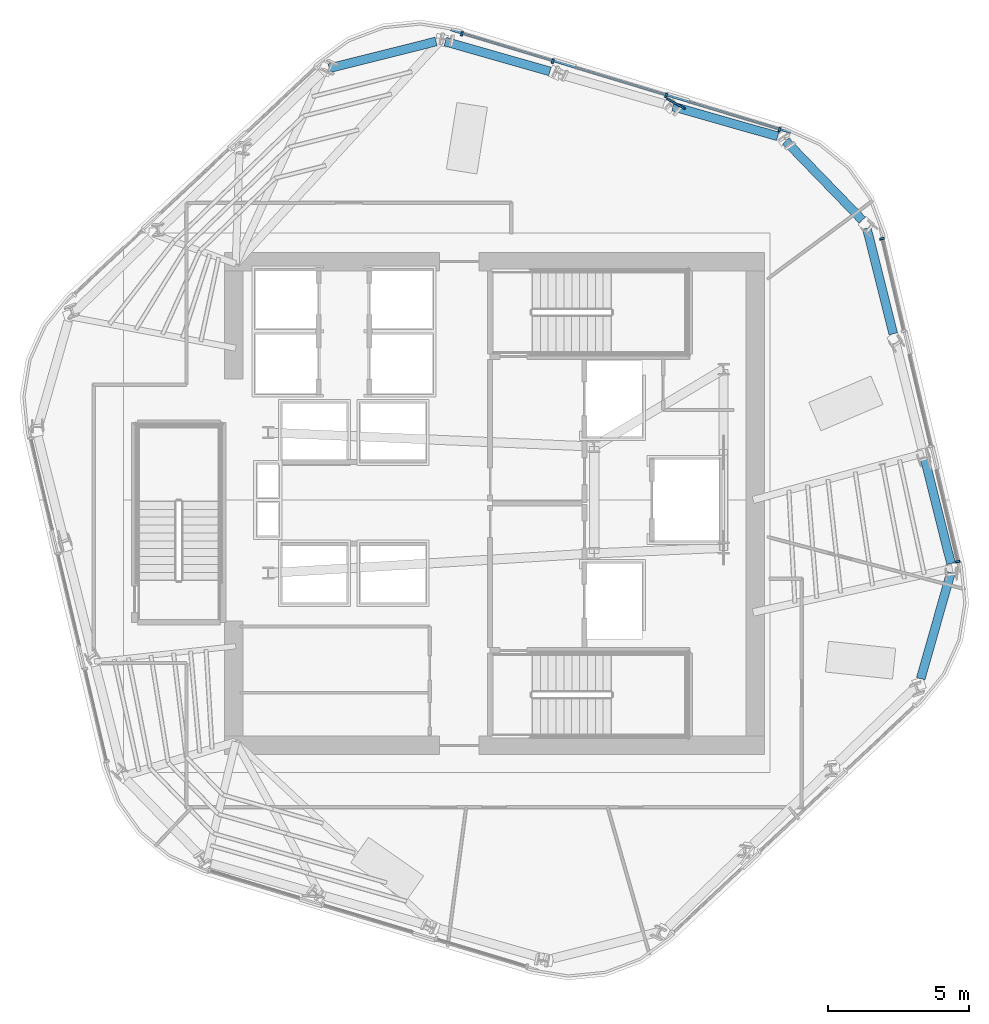
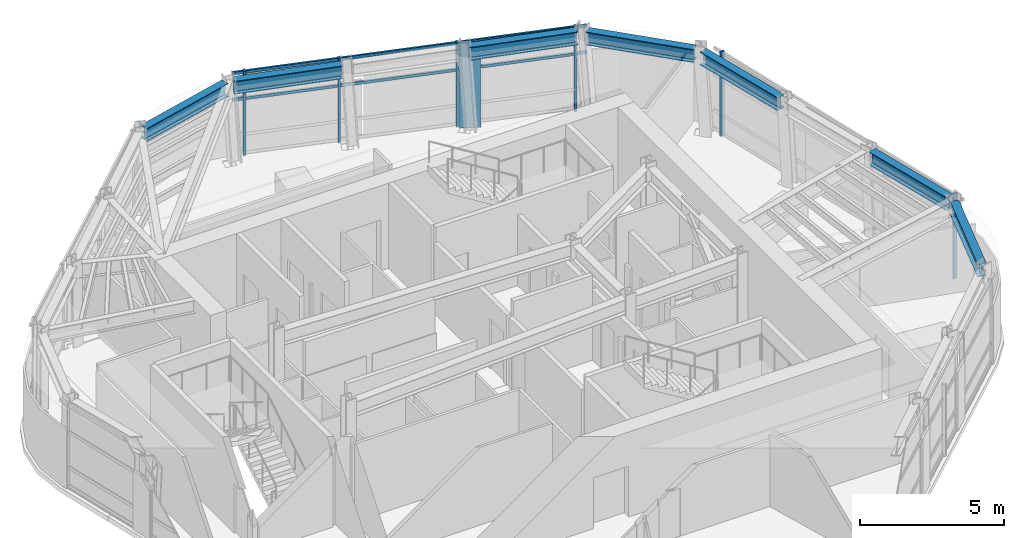
# One storey, part 5 of 14: 9 members, 7 beams, 2 elements without a shape of their own.
"""IFC4 building model written with IfcOpenShell, lengths in metres."""

from ifc_helpers import new_model, si_unit, direction, frame, origin, origin_2d, place, context, subcontext, project, spatial, rectangle, i_section, extrude, material, layer, layer_set, material_profile, profile_set, type_object, element, aggregate, save


model = new_model("IFC4")

# Units and contexts
model_context = context("Model", 3, precision=1e-05, world=origin(), true_north=direction((0.0, 1.0)))
body_context = subcontext(model_context, "Body", "Model", "MODEL_VIEW")
ifc_project = project(units=[si_unit("LENGTHUNIT", "METRE"), si_unit("AREAUNIT", "SQUARE_METRE"), si_unit("VOLUMEUNIT", "CUBIC_METRE"), si_unit("PLANEANGLEUNIT", "RADIAN"), si_unit("MASSUNIT", "GRAM", prefix="KILO")], contexts=[model_context])

# Site, building, storey
site_placement = place(None, origin())
site = spatial("IfcSite", under=ifc_project, at=site_placement, CompositionType="ELEMENT")
building_placement = place(site_placement, origin())
building = spatial("IfcBuilding", under=site, at=building_placement, Name="Valkerne Bourse Tower", CompositionType="ELEMENT")
storey_placement = place(building_placement, frame((0.0, 0.0, 209.39990234375)))
storey = spatial("IfcBuildingStorey", under=building, at=storey_placement, Name="L53", CompositionType="ELEMENT", Elevation=209.39990234375)

# Beams
ifc_material_1 = material(Name="Steel ASTM A992", Category="steel")
ifc_material_profile_1 = material_profile(ifc_material_1, i_section(OverallWidth=0.31494140625, OverallDepth=0.5537109375, WebThickness=0.0166015625, FlangeThickness=0.026123046875, FilletRadius=0.020263671875, at=origin_2d()), Name="W21X132")
ifc_profile_set_1 = profile_set([ifc_material_profile_1], Name="Steel ASTM A992")
beam_type = type_object("IfcBeamType", Name="BM-W21X132", PredefinedType="BEAM", material=ifc_profile_set_1)
for number, where, z_axis, x_axis, name in (
    (1, (56.876708984375, 39.93310546875, 3.3232421875), (-0.961756780686, 0.273904901023, 0.0), (-0.273904901023, -0.961756780686, 0.0), "L53 Hexagonal Spandrel Ring Beam 00"),
    (2, (48.77490234375, 42.24072265625, 3.3232421875), (-0.961740168998, 0.273963222598, 0.0), (-0.273963222598, -0.961740168998, 0.0), "L53 Hexagonal Spandrel Ring Beam 02"),
):
    element("IfcBeam", number, at=place(storey_placement, frame(where, z_axis=z_axis, x_axis=x_axis)), inside=storey, type_object=beam_type, Name=name, PredefinedType="BEAM", context=body_context, shape_type="SweptSolid", body=[
        extrude(i_section(OverallWidth=0.31494140625, OverallDepth=0.5537109375, WebThickness=0.0166015625, FlangeThickness=0.026123046875, FilletRadius=0.020263671875, at=origin_2d()), origin(), (0.0, 0.0, 1.0), 3.8720703125),
    ])
beam_1_placement = place(storey_placement, frame((44.72265625, 43.306640625, 3.3232421875), z_axis=(-0.969874165268, -0.243606452183, 0.0), x_axis=(0.243606452183, -0.969874165268, 0.0)))
element("IfcBeam", 3, at=beam_1_placement, inside=storey, type_object=beam_type, Name="L53 Hexagonal Spandrel Ring Beam 03", PredefinedType="BEAM", context=body_context, shape_type="SweptSolid", body=[
    extrude(i_section(OverallWidth=0.31494140625, OverallDepth=0.5537109375, WebThickness=0.0166015625, FlangeThickness=0.026123046875, FilletRadius=0.020263671875, at=origin_2d()), origin(), (0.0, 0.0, 1.0), 3.91552734375),
])
beam_2_placement = place(storey_placement, frame((61.960693359375, 20.645751953125, 3.3232421875), z_axis=(0.273963438109, 0.961740107607, 0.0), x_axis=(-0.961740107607, 0.273963438109, 0.0)))
element("IfcBeam", 4, at=beam_2_placement, inside=storey, type_object=beam_type, Name="L53 Hexagonal Spandrel Ring Beam 19", PredefinedType="BEAM", context=body_context, shape_type="SweptSolid", body=[
    extrude(i_section(OverallWidth=0.31494140625, OverallDepth=0.5537109375, WebThickness=0.0166015625, FlangeThickness=0.026123046875, FilletRadius=0.020263671875, at=origin_2d()), origin(), (0.0, 0.0, 1.0), 3.915771484375),
])
for number, where, z_axis, x_axis, name in (
    (5, (63.03857421875, 24.739990234375, 3.3232421875), (-0.243648217677, 0.969863673937, 0.0), (-0.969863673937, -0.243648217677, 0.0), "L53 Hexagonal Spandrel Ring Beam 20"),
    (6, (60.986328125, 32.91015625, 3.3232421875), (-0.243588903636, 0.969878572825, 0.0), (-0.969878572825, -0.243588903636, 0.0), "L53 Hexagonal Spandrel Ring Beam 22"),
):
    element("IfcBeam", number, at=place(storey_placement, frame(where, z_axis=z_axis, x_axis=x_axis)), inside=storey, type_object=beam_type, Name=name, PredefinedType="BEAM", context=body_context, shape_type="SweptSolid", body=[
        extrude(i_section(OverallWidth=0.31494140625, OverallDepth=0.5537109375, WebThickness=0.0166015625, FlangeThickness=0.026123046875, FilletRadius=0.020263671875, at=origin_2d()), origin(), (0.0, 0.0, 1.0), 3.871826171875),
    ])
beam_3_placement = place(storey_placement, frame((59.88330078125, 36.952392578125, 3.3232421875), z_axis=(-0.695889693012, 0.71814868597, 0.0), x_axis=(-0.71814868597, -0.695889693012, 0.0)))
element("IfcBeam", 7, at=beam_3_placement, inside=storey, type_object=beam_type, Name="L53 Hexagonal Spandrel Ring Beam 23", PredefinedType="BEAM", context=body_context, shape_type="SweptSolid", body=[
    extrude(i_section(OverallWidth=0.31494140625, OverallDepth=0.5537109375, WebThickness=0.0166015625, FlangeThickness=0.026123046875, FilletRadius=0.020263671875, at=origin_2d()), origin(), (0.0, 0.0, 1.0), 3.91552734375),
])

# Curtain wall, members
ifc_material_2 = material(Name="Aluminium AA 6063-T6", Category="aluminium")
ifc_layer = layer(ifc_material_2, 0.239990234375)
ifc_layer_set = layer_set([ifc_layer], Name="Aluminium AA 6063-T6")
curtain_wall_type = type_object("IfcCurtainWallType", Name="CW-04", PredefinedType="NOTDEFINED", material=ifc_layer_set)
curtain_wall_1_placement = place(storey_placement, origin())
curtain_wall_1 = element("IfcCurtainWall", 8, at=curtain_wall_1_placement, inside=storey, type_object=curtain_wall_type, Name="L53 Hexagonal Stick Curtain Wall Face 1", PredefinedType="NOTDEFINED")
ifc_material_profile_2 = material_profile(ifc_material_2, rectangle(XDim=0.074951171875, YDim=0.159912109375, at=origin_2d()), Name="CWM-75X160")
ifc_profile_set_2 = profile_set([ifc_material_profile_2], Name="Aluminium AA 6063-T6")
member_type_1 = type_object("IfcMemberType", Name="CW-MUL-160X75", PredefinedType="MULLION", material=ifc_profile_set_2)
member_1_placement = place(storey_placement, frame((56.9375, 40.1708984375, 0.0), z_axis=(0.0, 0.0, 1.0), x_axis=(-0.957321018034, 0.289026760752, 0.0)))
member_1 = element("IfcMember", 9, at=member_1_placement, type_object=member_type_1, Name="CW-L53-F1 Jamb Mullion 00A", PredefinedType="MULLION", context=body_context, shape_type="SweptSolid", body=[
    extrude(rectangle(XDim=0.074951171875, YDim=0.159912109375, at=origin_2d()), origin(), (0.0, 0.0, 1.0), 3.60009765625),
])
member_2_placement = place(storey_placement, frame((52.9052734375, 41.38818359375, 0.0), z_axis=(0.0, 0.0, 1.0), x_axis=(-0.957319034703, 0.289033329904, 0.0)))
member_2 = element("IfcMember", 10, at=member_2_placement, type_object=member_type_1, Name="CW-L53-F1 Jamb Mullion 01A", PredefinedType="MULLION", context=body_context, shape_type="SweptSolid", body=[
    extrude(rectangle(XDim=0.074951171875, YDim=0.159912109375, at=origin_2d()), origin(), (0.0, 0.0, 1.0), 3.60009765625),
])
member_3_placement = place(storey_placement, frame((48.873046875, 42.605712890625, 0.0), z_axis=(0.0, 0.0, 1.0), x_axis=(-0.957319034703, 0.289033329904, 0.0)))
member_3 = element("IfcMember", 11, at=member_3_placement, type_object=member_type_1, Name="CW-L53-F1 Jamb Mullion 02A", PredefinedType="MULLION", context=body_context, shape_type="SweptSolid", body=[
    extrude(rectangle(XDim=0.074951171875, YDim=0.159912109375, at=origin_2d()), origin(), (0.0, 0.0, 1.0), 3.60009765625),
])
member_4_placement = place(storey_placement, frame((45.64501953125, 43.580322265625, 0.0), z_axis=(0.0, 0.0, 1.0), x_axis=(-0.957319034703, 0.289033329904, 0.0)))
member_4 = element("IfcMember", 12, at=member_4_placement, type_object=member_type_1, Name="CW-L53-F1 Jamb Mullion 02B", PredefinedType="MULLION", context=body_context, shape_type="SweptSolid", body=[
    extrude(rectangle(XDim=0.074951171875, YDim=0.159912109375, at=origin_2d()), origin(), (0.0, 0.0, 1.0), 3.60009765625),
])

curtain_wall_2_placement = place(storey_placement, origin())
curtain_wall_2 = element("IfcCurtainWall", 13, at=curtain_wall_2_placement, inside=storey, type_object=curtain_wall_type, Name="L53 Hexagonal Stick Curtain Wall Face 6", PredefinedType="NOTDEFINED")
member_5_placement = place(storey_placement, frame((63.27490234375, 24.80615234375, 0.0), z_axis=(0.0, 0.0, 1.0), x_axis=(-0.228348506824, 0.973579457174, 0.0)))
member_5 = element("IfcMember", 14, at=member_5_placement, type_object=member_type_1, Name="CW-L53-F6 Jamb Mullion 00A", PredefinedType="MULLION", context=body_context, shape_type="SweptSolid", body=[
    extrude(rectangle(XDim=0.074951171875, YDim=0.159912109375, at=origin_2d()), origin(), (0.0, 0.0, 1.0), 3.60009765625),
])
member_6_placement = place(storey_placement, frame((60.581298828125, 36.290283203125, 0.0), z_axis=(0.0, 0.0, 1.0), x_axis=(-0.228348506824, 0.973579457174, 0.0)))
member_6 = element("IfcMember", 15, at=member_6_placement, type_object=member_type_1, Name="CW-L53-F6 Jamb Mullion 02B", PredefinedType="MULLION", context=body_context, shape_type="SweptSolid", body=[
    extrude(rectangle(XDim=0.074951171875, YDim=0.159912109375, at=origin_2d()), origin(), (0.0, 0.0, 1.0), 3.60009765625),
])
aggregate(curtain_wall_2, [member_5, member_6])

# Member
ifc_material_profile_3 = material_profile(ifc_material_2, rectangle(XDim=0.074951171875, YDim=0.1201171875, at=origin_2d()), Name="CWT-75X120")
ifc_profile_set_3 = profile_set([ifc_material_profile_3], Name="Aluminium AA 6063-T6")
member_type_2 = type_object("IfcMemberType", Name="CW-TRN-120X75", PredefinedType="USERDEFINED", material=ifc_profile_set_3)
member_7_placement = place(storey_placement, frame((57.345458984375, 40.068603515625, 2.400146484375), z_axis=(-0.957321759812, 0.289024303807, 0.0), x_axis=(-0.289024303807, -0.957321759812, 0.0)))
member_7 = element("IfcMember", 16, at=member_7_placement, type_object=member_type_2, Name="CW-L53-F1 Continuous Face Transom 3", ObjectType="TRANSOM", PredefinedType="USERDEFINED", context=body_context, shape_type="SweptSolid", body=[
    extrude(rectangle(XDim=0.074951171875, YDim=0.1201171875, at=origin_2d()), origin(), (0.0, 0.0, 1.0), 12.635986328125),
])

member_8_placement = place(storey_placement, frame((57.345458984375, 40.068603515625, 3.52001953125), z_axis=(-0.957321759812, 0.289024303807, 0.0), x_axis=(-0.289024303807, -0.957321759812, 0.0)))
member_8 = element("IfcMember", 17, at=member_8_placement, type_object=member_type_2, Name="CW-L53-F1 Continuous Face Transom 4", ObjectType="TRANSOM", PredefinedType="USERDEFINED", context=body_context, shape_type="SweptSolid", body=[
    extrude(rectangle(XDim=0.074951171875, YDim=0.1201171875, at=origin_2d()), origin(), (0.0, 0.0, 1.0), 12.635986328125),
])

aggregate(curtain_wall_1, [member_7, member_8, member_1, member_2, member_3, member_4])

ifc_material_3 = material(Name="Bronze Anodised Aluminium AA 6063-T6", Category="aluminium")
ifc_material_profile_4 = material_profile(ifc_material_3, rectangle(XDim=0.06494140625, YDim=0.75, at=origin_2d()), Name="FIN-65X750")
ifc_profile_set_4 = profile_set([ifc_material_profile_4], Name="Bronze Anodised Aluminium AA 6063-T6")
member_type_3 = type_object("IfcMemberType", Name="FIN-SOLAR-650", PredefinedType="USERDEFINED", material=ifc_profile_set_4)
member_9_placement = place(storey_placement, frame((53.255126953125, 41.094482421875, 0.004150390625), z_axis=(0.0, 0.0, 1.0), x_axis=(0.488479961386, 0.872575112712, 0.0)))
element("IfcMember", 18, at=member_9_placement, inside=storey, type_object=member_type_3, Name="L53 Bronze Anodised Solar Fin F1-01", ObjectType="SOLAR_FIN", PredefinedType="USERDEFINED", context=body_context, shape_type="SweptSolid", body=[
    extrude(rectangle(XDim=0.06494140625, YDim=0.75, at=origin_2d()), origin(), (0.0, 0.0, 1.0), 3.592041015625),
])

save(model, "model.ifc")
